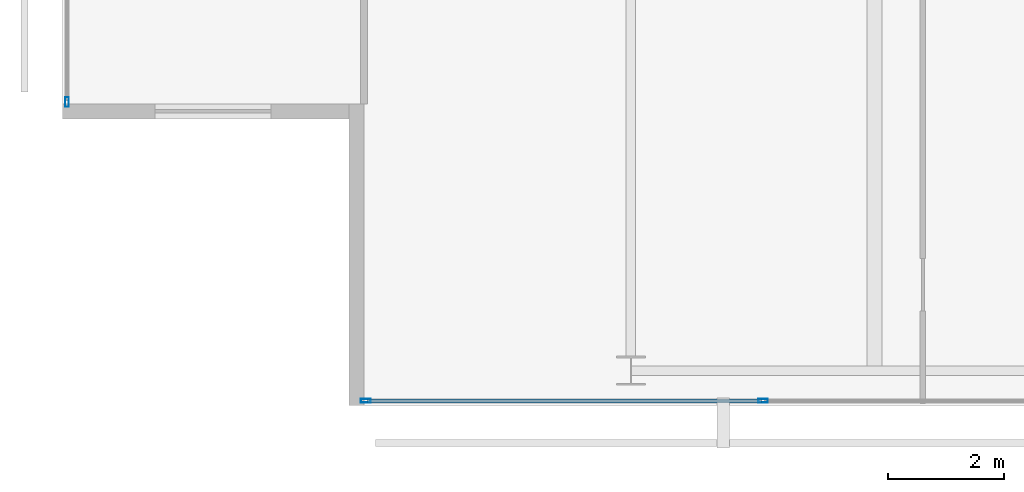
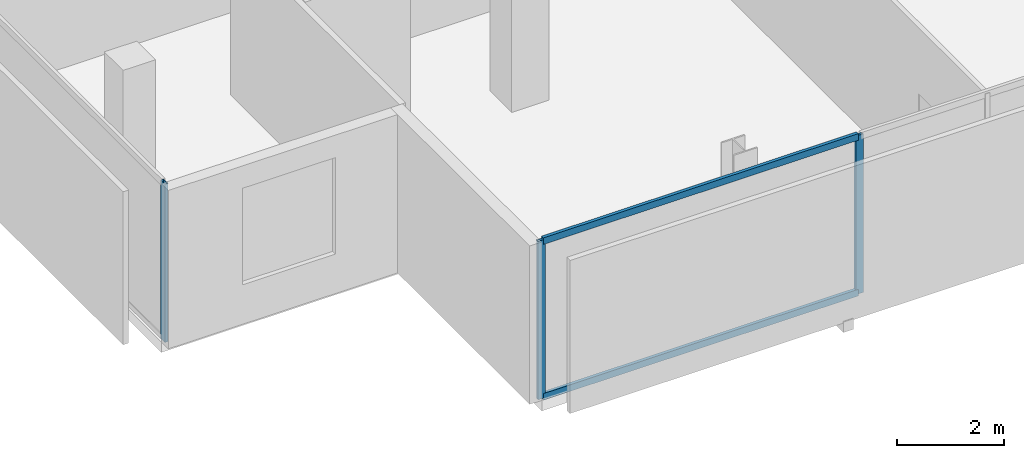
# One storey, part 2 of 25: 5 members, 2 elements without a shape of their own.
"""IFC4 building model written with IfcOpenShell, lengths in metres."""

from ifc_helpers import new_model, si_unit, direction, frame, origin, origin_2d, place, context, subcontext, project, spatial, hollow_rectangle, extrude, material, layer, layer_set, material_profile, profile_set, type_object, element, aggregate, save


model = new_model("IFC4")

# Units and contexts
model_context = context("Model", 3, precision=1e-05, world=origin(), true_north=direction((0.0, 1.0)))
body_context = subcontext(model_context, "Body", "Model", "MODEL_VIEW")
ifc_project = project(units=[si_unit("LENGTHUNIT", "METRE"), si_unit("AREAUNIT", "SQUARE_METRE"), si_unit("VOLUMEUNIT", "CUBIC_METRE"), si_unit("PLANEANGLEUNIT", "RADIAN"), si_unit("MASSUNIT", "GRAM", prefix="KILO")], contexts=[model_context])

# Site, building, storey
site_placement = place(None, origin())
site = spatial("IfcSite", under=ifc_project, at=site_placement, CompositionType="ELEMENT")
building_placement = place(site_placement, origin())
building = spatial("IfcBuilding", under=site, at=building_placement, Name="Maruvema Waterfront Hotel and Observation Tower", CompositionType="ELEMENT")
storey_placement = place(building_placement, frame((0.0, 0.0, 281.75)))
storey = spatial("IfcBuildingStorey", under=building, at=storey_placement, Name="L69", CompositionType="ELEMENT", Elevation=281.75)

# Curtain wall, members
ifc_material_1 = material(Name="Anodised bronze aluminium and solar-control low-E IGU", Category="aluminium")
ifc_layer = layer(ifc_material_1, 0.159912109375, Name="Zone 3 Champagne Inner Thermal Curtain Wall System CW-04")
ifc_layer_set = layer_set([ifc_layer], Name="Anodised bronze aluminium and solar-control low-E IGU")
curtain_wall_type = type_object("IfcCurtainWallType", Name="Zone 3 Champagne Inner Thermal Curtain Wall System CW-04", PredefinedType="USERDEFINED", material=ifc_layer_set)
curtain_wall_1_placement = place(storey_placement, origin())
curtain_wall_1 = element("IfcCurtainWall", 1, at=curtain_wall_1_placement, inside=storey, type_object=curtain_wall_type, Name="L69 Curtain Wall CW-L69-S", ObjectType="UNITISED CURTAIN WALL", PredefinedType="USERDEFINED")
ifc_material_2 = material(Name="Anodised architectural bronze aluminium", Category="aluminium")
ifc_material_profile_1 = material_profile(ifc_material_2, hollow_rectangle(XDim=0.070068359375, YDim=0.14990234375, WallThickness=0.00390625, at=origin_2d()), Name="ALU-T70x150")
ifc_profile_set_1 = profile_set([ifc_material_profile_1], Name="Anodised architectural bronze aluminium")
member_type_1 = type_object("IfcMemberType", Name="Curtain Wall Horizontal Transom ALU-T70x150", PredefinedType="USERDEFINED", material=ifc_profile_set_1)
member_1_placement = place(storey_placement, frame((20.659912109375, 9.280029296875, 0.030029296875), z_axis=(1.0, 0.0, 0.0), x_axis=(0.0, 1.0, 0.0)))
member_1 = element("IfcMember", 2, at=member_1_placement, type_object=member_type_1, Name="CW-04 transom 1.1", ObjectType="TRANSOM", PredefinedType="USERDEFINED", context=body_context, shape_type="SweptSolid", body=[
    extrude(hollow_rectangle(XDim=0.070068359375, YDim=0.14990234375, WallThickness=0.00390625, at=origin_2d()), origin(), (0.0, 0.0, 1.0), 6.7900390625),
])
member_2_placement = place(storey_placement, frame((20.659912109375, 9.280029296875, 3.580078125), z_axis=(1.0, 0.0, 0.0), x_axis=(0.0, 1.0, 0.0)))
member_2 = element("IfcMember", 3, at=member_2_placement, type_object=member_type_1, Name="CW-04 transom 1.2", ObjectType="TRANSOM", PredefinedType="USERDEFINED", context=body_context, shape_type="SweptSolid", body=[
    extrude(hollow_rectangle(XDim=0.070068359375, YDim=0.14990234375, WallThickness=0.00390625, at=origin_2d()), origin(), (0.0, 0.0, 1.0), 6.7900390625),
])
ifc_material_3 = material(Name="Anodised architectural bronze aluminium", Category="aluminium")
ifc_material_profile_2 = material_profile(ifc_material_3, hollow_rectangle(XDim=0.06494140625, YDim=0.1650390625, WallThickness=0.00390625, at=origin_2d()), Name="ALU-M65x165")
ifc_profile_set_2 = profile_set([ifc_material_profile_2], Name="Anodised architectural bronze aluminium")
member_type_2 = type_object("IfcMemberType", Name="Curtain Wall Primary Mullion ALU-M65x165", PredefinedType="MULLION", material=ifc_profile_set_2)
member_3_placement = place(storey_placement, frame((20.6298828125, 9.280029296875, 0.0), z_axis=(0.0, 0.0, 1.0), x_axis=(0.0, 1.0, 0.0)))
member_3 = element("IfcMember", 4, at=member_3_placement, type_object=member_type_2, Name="CW-04 mullion 1", PredefinedType="MULLION", context=body_context, shape_type="SweptSolid", body=[
    extrude(hollow_rectangle(XDim=0.06494140625, YDim=0.1650390625, WallThickness=0.00390625, at=origin_2d()), origin(), (0.0, 0.0, 1.0), 3.610107421875),
])
member_4_placement = place(storey_placement, frame((27.47998046875, 9.280029296875, 0.0), z_axis=(0.0, 0.0, 1.0), x_axis=(0.0, 1.0, 0.0)))
member_4 = element("IfcMember", 5, at=member_4_placement, type_object=member_type_2, Name="CW-04 mullion 2", PredefinedType="MULLION", context=body_context, shape_type="SweptSolid", body=[
    extrude(hollow_rectangle(XDim=0.06494140625, YDim=0.1650390625, WallThickness=0.00390625, at=origin_2d()), origin(), (0.0, 0.0, 1.0), 3.610107421875),
])
aggregate(curtain_wall_1, [member_3, member_4, member_1, member_2])

# Curtain wall, member
curtain_wall_2_placement = place(storey_placement, origin())
curtain_wall_2 = element("IfcCurtainWall", 6, at=curtain_wall_2_placement, inside=storey, type_object=curtain_wall_type, Name="L69 Curtain Wall CW-L69-W", ObjectType="UNITISED CURTAIN WALL", PredefinedType="USERDEFINED")
member_5_placement = place(storey_placement, frame((15.47998046875, 14.429931640625, 0.0), z_axis=(0.0, 0.0, 1.0), x_axis=(1.0, 0.0, 0.0)))
member_5 = element("IfcMember", 7, at=member_5_placement, type_object=member_type_2, Name="CW-04 mullion 6", PredefinedType="MULLION", context=body_context, shape_type="SweptSolid", body=[
    extrude(hollow_rectangle(XDim=0.06494140625, YDim=0.1650390625, WallThickness=0.00390625, at=origin_2d()), origin(), (0.0, 0.0, 1.0), 3.610107421875),
])
aggregate(curtain_wall_2, [member_5])

save(model, "model.ifc")
